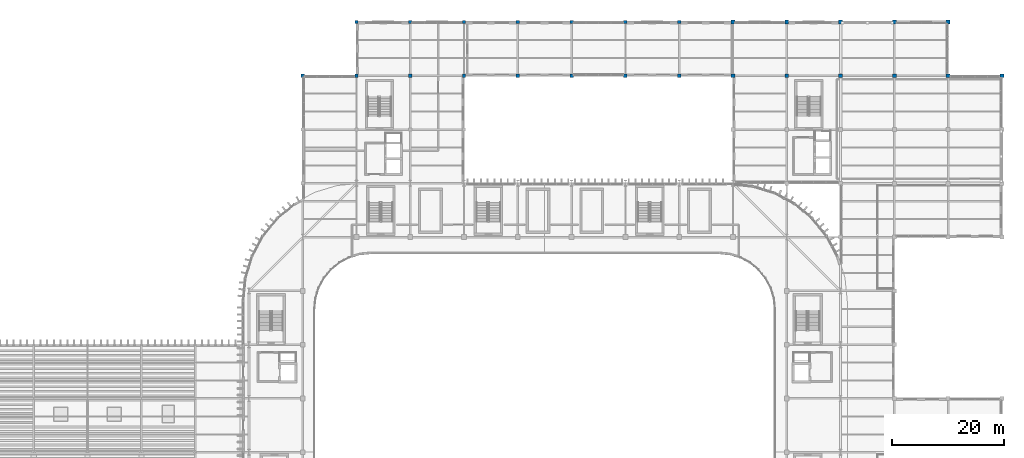
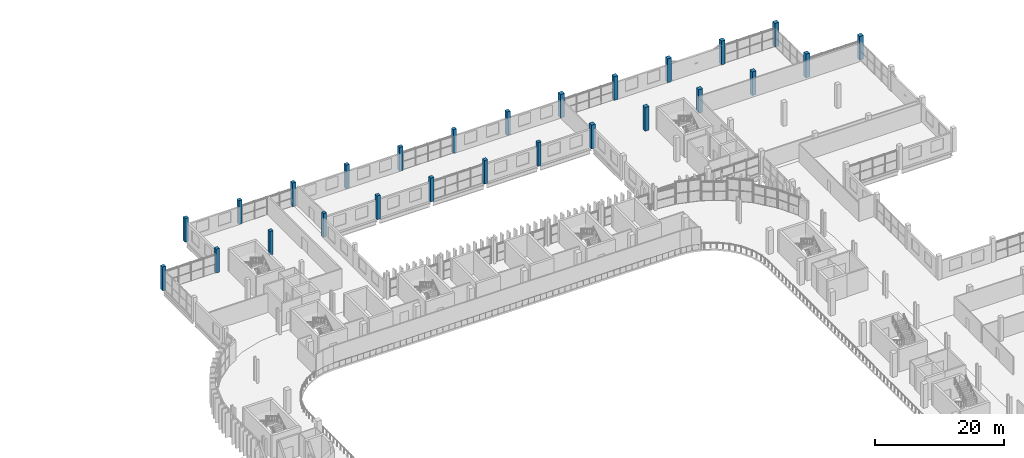
# One storey, part 5 of 92: 26 columns.
"""IFC4 building model written with IfcOpenShell, lengths in metres."""

from ifc_helpers import new_model, si_unit, direction, frame, origin, origin_2d, place, context, subcontext, project, spatial, rectangle, extrude, material, material_profile, profile_set, type_object, element, save


model = new_model("IFC4")

# Units and contexts
model_context = context("Model", 3, precision=1e-05, world=origin(), true_north=direction((0.0, 1.0)))
body_context = subcontext(model_context, "Body", "Model", "MODEL_VIEW")
ifc_project = project(units=[si_unit("LENGTHUNIT", "METRE"), si_unit("AREAUNIT", "SQUARE_METRE"), si_unit("VOLUMEUNIT", "CUBIC_METRE"), si_unit("PLANEANGLEUNIT", "RADIAN"), si_unit("MASSUNIT", "GRAM", prefix="KILO")], contexts=[model_context])

# Site, building, storey
site_placement = place(None, origin())
site = spatial("IfcSite", under=ifc_project, at=site_placement, CompositionType="ELEMENT")
building_placement = place(site_placement, origin())
building = spatial("IfcBuilding", under=site, at=building_placement, Name="Caelomonte Colonnade Arena", CompositionType="ELEMENT")
storey_placement = place(building_placement, frame((0.0, 0.0, 9.60009765625)))
storey = spatial("IfcBuildingStorey", under=building, at=storey_placement, Name="L02", CompositionType="ELEMENT", Elevation=9.60009765625)

# Columns
ifc_material = material(Name="Concrete C40/50", Category="concrete")
ifc_material_profile_1 = material_profile(ifc_material, rectangle(XDim=0.60009765625, YDim=0.60009765625, at=origin_2d()), Name="RC600X600")
ifc_profile_set_1 = profile_set([ifc_material_profile_1], Name="Concrete C40/50")
column_type_1 = type_object("IfcColumnType", Name="STR-COL-RC06", PredefinedType="COLUMN", material=ifc_profile_set_1)
for number, where, z_axis, x_axis, name in (
    (1, (67.199951171875, 134.39990234375, 0.0), (0.0, 0.0, 1.0), (1.0, 0.0, 0.0), "L02 column (67.2, 134.4)"),
    (2, (76.800048828125, 134.39990234375, 0.0), (0.0, 0.0, 1.0), (1.0, 0.0, 0.0), "L02 column (76.8, 134.4)"),
    (3, (76.800048828125, 144.0, 0.0), (0.0, 0.0, 1.0), (1.0, 0.0, 0.0), "L02 column (76.8, 144.0)"),
    (4, (86.39990234375, 134.39990234375, 0.0), (0.0, 0.0, 1.0), (1.0, 0.0, 0.0), "L02 column (86.4, 134.4)"),
    (5, (86.39990234375, 144.0, 0.0), (0.0, 0.0, 1.0), (1.0, 0.0, 0.0), "L02 column (86.4, 144.0)"),
    (6, (96.0, 134.39990234375, 0.0), (0.0, 0.0, 1.0), (1.0, 0.0, 0.0), "L02 column (96.0, 134.4)"),
    (7, (96.0, 144.0, 0.0), (0.0, 0.0, 1.0), (1.0, 0.0, 0.0), "L02 column (96.0, 144.0)"),
    (8, (105.60009765625, 134.39990234375, 0.0), (0.0, 0.0, 1.0), (1.0, 0.0, 0.0), "L02 column (105.6, 134.4)"),
    (9, (105.60009765625, 144.0, 0.0), (0.0, 0.0, 1.0), (1.0, 0.0, 0.0), "L02 column (105.6, 144.0)"),
    (10, (115.199951171875, 134.39990234375, 0.0), (0.0, 0.0, 1.0), (1.0, 0.0, 0.0), "L02 column (115.2, 134.4)"),
    (11, (115.199951171875, 144.0, 0.0), (0.0, 0.0, 1.0), (1.0, 0.0, 0.0), "L02 column (115.2, 144.0)"),
    (12, (124.800048828125, 134.39990234375, 0.0), (0.0, 0.0, 1.0), (1.0, 0.0, 0.0), "L02 column (124.8, 134.4)"),
    (13, (124.800048828125, 144.0, 0.0), (0.0, 0.0, 1.0), (1.0, 0.0, 0.0), "L02 column (124.8, 144.0)"),
    (14, (134.39990234375, 134.39990234375, 0.0), (0.0, 0.0, 1.0), (1.0, 0.0, 0.0), "L02 column (134.4, 134.4)"),
    (15, (134.39990234375, 144.0, 0.0), (0.0, 0.0, 1.0), (1.0, 0.0, 0.0), "L02 column (134.4, 144.0)"),
):
    element("IfcColumn", number, at=place(storey_placement, frame(where, z_axis=z_axis, x_axis=x_axis)), inside=storey, type_object=column_type_1, Name=name, PredefinedType="COLUMN", context=body_context, shape_type="SweptSolid", body=[
        extrude(rectangle(XDim=0.60009765625, YDim=0.60009765625, at=origin_2d()), origin(), (0.0, 0.0, 1.0), 4.5),
    ])
ifc_material_profile_2 = material_profile(ifc_material, rectangle(XDim=0.699951171875, YDim=0.699951171875, at=origin_2d()), Name="RC700X700")
ifc_profile_set_2 = profile_set([ifc_material_profile_2], Name="Concrete C40/50")
column_type_2 = type_object("IfcColumnType", Name="STR-COL-RC07", PredefinedType="COLUMN", material=ifc_profile_set_2)
for number, where, z_axis, x_axis, name in (
    (16, (144.0, 134.39990234375, 0.0), (0.0, 0.0, 1.0), (1.0, 0.0, 0.0), "L02 column (144.0, 134.4)"),
    (17, (144.0, 144.0, 0.0), (0.0, 0.0, 1.0), (1.0, 0.0, 0.0), "L02 column (144.0, 144.0)"),
    (18, (153.60009765625, 134.39990234375, 0.0), (0.0, 0.0, 1.0), (1.0, 0.0, 0.0), "L02 column (153.6, 134.4)"),
    (19, (153.60009765625, 144.0, 0.0), (0.0, 0.0, 1.0), (1.0, 0.0, 0.0), "L02 column (153.6, 144.0)"),
    (20, (163.199951171875, 134.39990234375, 0.0), (0.0, 0.0, 1.0), (1.0, 0.0, 0.0), "L02 column (163.2, 134.4)"),
    (21, (163.199951171875, 144.0, 0.0), (0.0, 0.0, 1.0), (1.0, 0.0, 0.0), "L02 column (163.2, 144.0)"),
    (22, (172.800048828125, 134.39990234375, 0.0), (0.0, 0.0, 1.0), (1.0, 0.0, 0.0), "L02 column (172.8, 134.4)"),
    (23, (172.800048828125, 144.0, 0.0), (0.0, 0.0, 1.0), (1.0, 0.0, 0.0), "L02 column (172.8, 144.0)"),
    (24, (182.39990234375, 134.39990234375, 0.0), (0.0, 0.0, 1.0), (1.0, 0.0, 0.0), "L02 column (182.4, 134.4)"),
    (25, (182.39990234375, 144.0, 0.0), (0.0, 0.0, 1.0), (1.0, 0.0, 0.0), "L02 column (182.4, 144.0)"),
    (26, (192.0, 134.39990234375, 0.0), (0.0, 0.0, 1.0), (1.0, 0.0, 0.0), "L02 column (192.0, 134.4)"),
):
    element("IfcColumn", number, at=place(storey_placement, frame(where, z_axis=z_axis, x_axis=x_axis)), inside=storey, type_object=column_type_2, Name=name, PredefinedType="COLUMN", context=body_context, shape_type="SweptSolid", body=[
        extrude(rectangle(XDim=0.699951171875, YDim=0.699951171875, at=origin_2d()), origin(), (0.0, 0.0, 1.0), 4.5),
    ])

save(model, "model.ifc")
